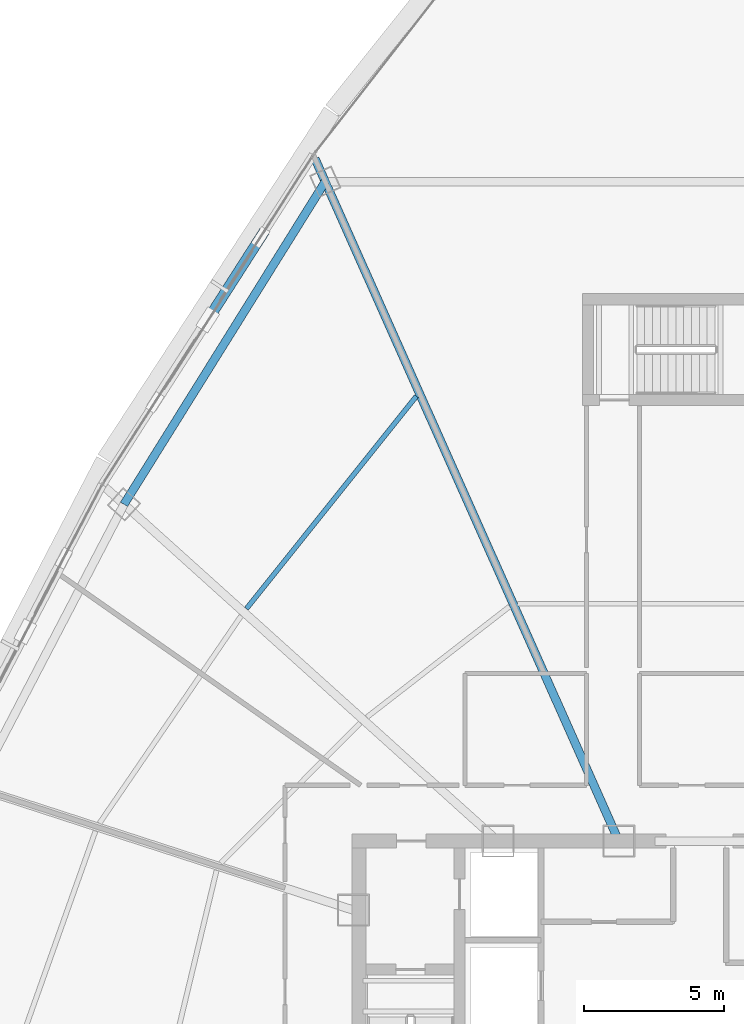
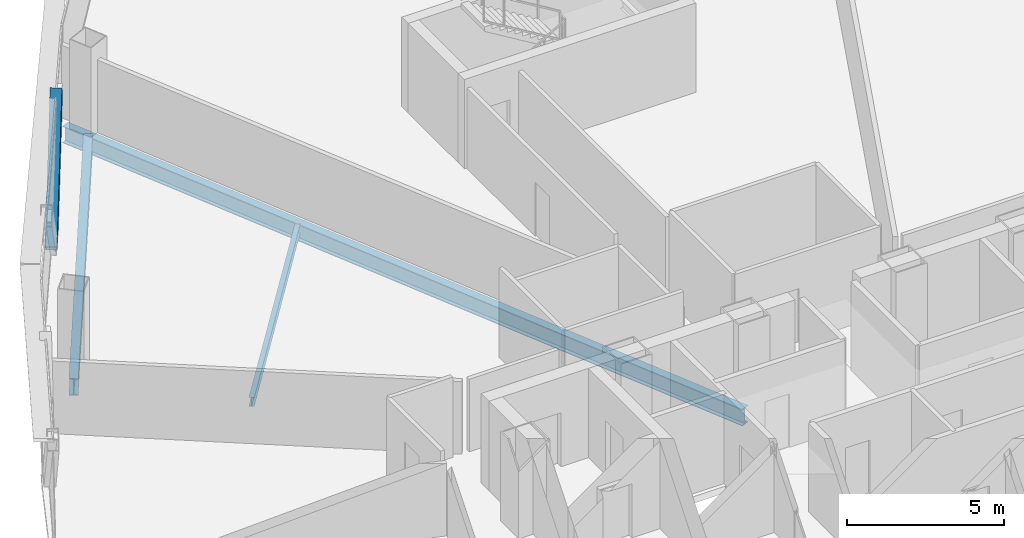
# One storey, part 17 of 36: 3 beams, 1 member.
"""IFC4 building model written with IfcOpenShell, lengths in metres."""

from ifc_helpers import new_model, si_unit, direction, frame, origin, origin_2d, place, context, subcontext, project, spatial, hollow_rectangle, i_section, extrude, source, transform, mapped, material, material_profile, profile_set, type_object, element, save


model = new_model("IFC4")

# Units and contexts
model_context = context("Model", 3, precision=1e-05, world=origin(), true_north=direction((0.0, 1.0)))
body_context = subcontext(model_context, "Body", "Model", "MODEL_VIEW")
ifc_project = project(units=[si_unit("LENGTHUNIT", "METRE"), si_unit("AREAUNIT", "SQUARE_METRE"), si_unit("VOLUMEUNIT", "CUBIC_METRE"), si_unit("PLANEANGLEUNIT", "RADIAN"), si_unit("MASSUNIT", "GRAM", prefix="KILO"), si_unit("THERMODYNAMICTEMPERATUREUNIT", "KELVIN"), si_unit("POWERUNIT", "WATT")], contexts=[model_context])

# Site, building, storey
site_placement = place(None, origin())
site = spatial("IfcSite", under=ifc_project, at=site_placement, CompositionType="ELEMENT")
building_placement = place(site_placement, origin())
building = spatial("IfcBuilding", under=site, at=building_placement, Name="Yunzhuo Pagoda Commons", CompositionType="ELEMENT")
storey_placement = place(building_placement, frame((0.0, 0.0, 263.179931640625)))
storey = spatial("IfcBuildingStorey", under=building, at=storey_placement, Name="L66", CompositionType="ELEMENT", Elevation=263.179931640625)

# Beams
ifc_material = material(Name="Structural steel Q355B", Category="steel")
ifc_material_profile_1 = material_profile(ifc_material, i_section(OverallWidth=0.300048828125, OverallDepth=0.64990234375, WebThickness=0.012939453125, FlangeThickness=0.02197265625, at=origin_2d()), Name="Structural steel Q355B")
ifc_profile_set_1 = profile_set([ifc_material_profile_1], Name="Structural steel Q355B")
beam_type_1 = type_object("IfcBeamType", Name="B-RG2 Beam HN 650x300x13x22", PredefinedType="BEAM", material=ifc_profile_set_1)
shared_shape_1 = source(origin(), body_context, "Body", "SweptSolid", [
    extrude(i_section(OverallWidth=0.300048828125, OverallDepth=0.64990234375, WebThickness=0.012939453125, FlangeThickness=0.02197265625, at=origin_2d()), origin(), (0.0, 0.0, 1.0), 13.615478515625),
])
beam_1_placement = place(storey_placement, frame((34.59326171875, 63.81201171875, -0.5849609375), z_axis=(-0.529178300485, -0.848510651846, 0.0), x_axis=(0.848510651846, -0.529178300485, 0.0)))
element("IfcBeam", 1, at=beam_1_placement, inside=storey, type_object=beam_type_1, Name="L66 column-ring beam 9", PredefinedType="BEAM", context=body_context, shape_type="MappedRepresentation", body=[
    mapped(shared_shape_1, transform((0.0, 0.0, 0.0), scale=1.0)),
])
ifc_material_profile_2 = material_profile(ifc_material, i_section(OverallWidth=0.175048828125, OverallDepth=0.35009765625, WebThickness=0.007080078125, FlangeThickness=0.010986328125, at=origin_2d()), Name="Structural steel Q355B")
ifc_profile_set_2 = profile_set([ifc_material_profile_2], Name="Structural steel Q355B")
beam_type_2 = type_object("IfcBeamType", Name="B-JS2 Joist HN 350x175x7x11", PredefinedType="JOIST", material=ifc_profile_set_2)
shared_shape_2 = source(origin(), body_context, "Body", "SweptSolid", [
    extrude(i_section(OverallWidth=0.175048828125, OverallDepth=0.35009765625, WebThickness=0.007080078125, FlangeThickness=0.010986328125, at=origin_2d()), origin(), (0.0, 0.0, 1.0), 9.741455078125),
])
beam_2_placement = place(storey_placement, frame((37.85791015625, 56.1318359375, -0.434814453125), z_axis=(-0.624618636222, -0.780929932378, 0.0), x_axis=(0.780929932378, -0.624618636222, 0.0)))
element("IfcBeam", 2, at=beam_2_placement, inside=storey, type_object=beam_type_2, Name="L66 composite ring joist 2.9", PredefinedType="JOIST", context=body_context, shape_type="MappedRepresentation", body=[
    mapped(shared_shape_2, transform((0.0, 0.0, 0.0), scale=1.0)),
])
shared_shape_3 = source(origin(), body_context, "Body", "SweptSolid", [
    extrude(i_section(OverallWidth=0.300048828125, OverallDepth=0.64990234375, WebThickness=0.012939453125, FlangeThickness=0.02197265625, at=origin_2d()), origin(), (0.0, 0.0, 1.0), 26.74169921875),
])
beam_3_placement = place(storey_placement, frame((34.229248046875, 64.629638671875, -0.5849609375), z_axis=(0.40673387601, -0.913546689615, 0.0), x_axis=(0.913546689615, 0.40673387601, 0.0)))
element("IfcBeam", 3, at=beam_3_placement, inside=storey, type_object=beam_type_1, Name="L66 radial floor girder F3C1", PredefinedType="BEAM", context=body_context, shape_type="MappedRepresentation", body=[
    mapped(shared_shape_3, transform((0.0, 0.0, 0.0), scale=1.0)),
])

# Member
ifc_material_profile_3 = material_profile(ifc_material, hollow_rectangle(XDim=0.3798828125, YDim=0.719970703125, WallThickness=0.02001953125, at=origin_2d()), Name="Structural steel Q355B")
ifc_profile_set_3 = profile_set([ifc_material_profile_3], Name="Structural steel Q355B")
member_type = type_object("IfcMemberType", Name="M-DL3 Brace BOX 720x380x20", PredefinedType="BRACE", material=ifc_profile_set_3)
shared_shape_4 = source(origin(), body_context, "Body", "SweptSolid", [
    extrude(hollow_rectangle(XDim=0.3798828125, YDim=0.719970703125, WallThickness=0.02001953125, at=origin_2d()), origin(), (0.0, 0.0, 1.0), 5.118408203125),
])
member_placement = place(storey_placement, frame((30.38720703125, 58.866455078125, -0.260009765625), z_axis=(0.369131134772, 0.57680615232, 0.728722764834), x_axis=(-0.842287844513, 0.539028002042, 0.0)))
element("IfcMember", 4, at=member_placement, inside=storey, type_object=member_type, Name="L66 facade diamond brace F3.1L", PredefinedType="BRACE", context=body_context, shape_type="MappedRepresentation", body=[
    mapped(shared_shape_4, transform((0.0, 0.0, 0.0), scale=1.0)),
])

save(model, "model.ifc")
